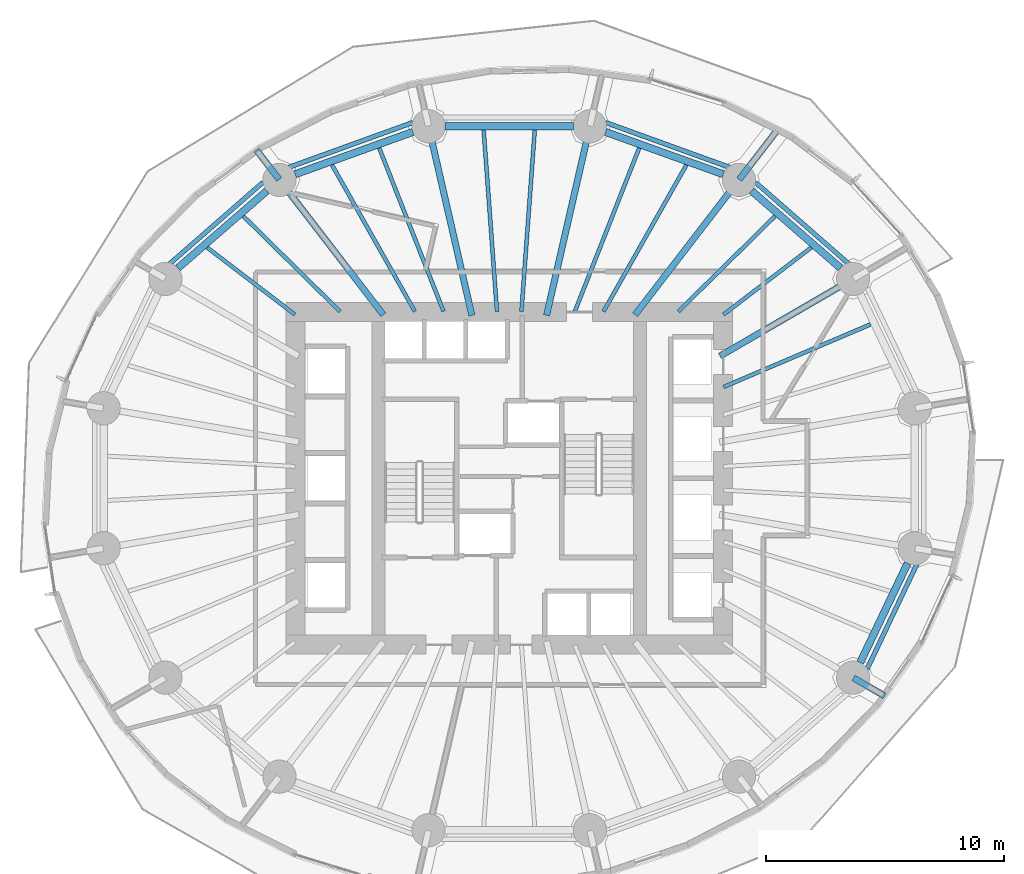
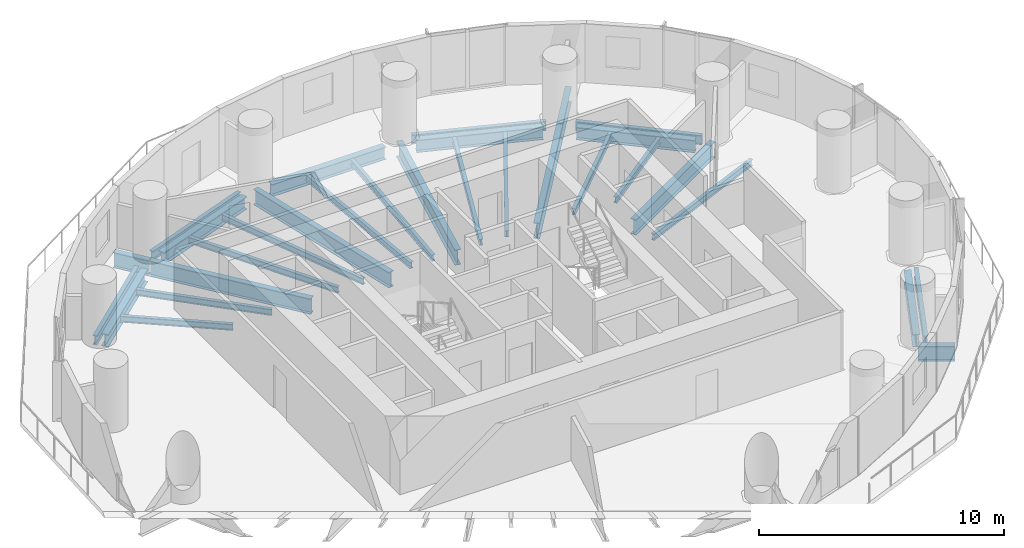
# One storey, part 4 of 13: 30 beams.
"""IFC4 building model written with IfcOpenShell, lengths in metres."""

from ifc_helpers import new_model, si_unit, direction, frame, origin, origin_2d, place, context, subcontext, project, spatial, i_section, extrude, material, material_profile, profile_set, type_object, element, save


model = new_model("IFC4")

# Units and contexts
model_context = context("Model", 3, precision=1e-05, world=origin(), true_north=direction((0.0, 1.0)))
body_context = subcontext(model_context, "Body", "Model", "MODEL_VIEW")
ifc_project = project(units=[si_unit("LENGTHUNIT", "METRE"), si_unit("AREAUNIT", "SQUARE_METRE"), si_unit("VOLUMEUNIT", "CUBIC_METRE"), si_unit("PLANEANGLEUNIT", "RADIAN"), si_unit("MASSUNIT", "GRAM", prefix="KILO")], contexts=[model_context])

# Site, building, storey
site_placement = place(None, origin())
site = spatial("IfcSite", under=ifc_project, at=site_placement, CompositionType="ELEMENT")
building_placement = place(site_placement, origin())
building = spatial("IfcBuilding", under=site, at=building_placement, Name="Veldorim Arch Residences", CompositionType="ELEMENT")
storey_placement = place(building_placement, frame((0.0, 0.0, 60.0)))
storey = spatial("IfcBuildingStorey", under=building, at=storey_placement, Name="L17", CompositionType="ELEMENT", Elevation=60.0)

# Beams
ifc_material_1 = material(Name="Steel S355", Category="steel")
ifc_material_profile_1 = material_profile(ifc_material_1, i_section(OverallWidth=0.30712890625, OverallDepth=0.6201171875, WebThickness=0.01416015625, FlangeThickness=0.023681640625, at=origin_2d()), Name="UB610x305x179")
ifc_profile_set_1 = profile_set([ifc_material_profile_1], Name="Steel S355")
beam_type_1 = type_object("IfcBeamType", Name="Structural Steel Beam UB610x305x179", PredefinedType="BEAM", material=ifc_profile_set_1)
beam_1_placement = place(storey_placement, frame((45.93896484375, 32.847900390625, -0.550048828125), z_axis=(-0.755264734985, 0.655419850239, 0.0), x_axis=(-0.655419850239, -0.755264734985, 0.0)))
element("IfcBeam", 1, at=beam_1_placement, inside=storey, type_object=beam_type_1, Name="L17 perimeter ring tie beam 02", PredefinedType="BEAM", context=body_context, shape_type="SweptSolid", body=[
    extrude(i_section(OverallWidth=0.30712890625, OverallDepth=0.6201171875, WebThickness=0.01416015625, FlangeThickness=0.023681640625, at=origin_2d()), origin(), (0.0, 0.0, 1.0), 4.956298828125),
])
beam_2_placement = place(storey_placement, frame((41.00830078125, 36.7919921875, -0.550048828125), z_axis=(-0.941058113369, 0.338244922006, 0.0), x_axis=(-0.338244922006, -0.941058113369, 0.0)))
element("IfcBeam", 2, at=beam_2_placement, inside=storey, type_object=beam_type_1, Name="L17 perimeter ring tie beam 03", PredefinedType="BEAM", context=body_context, shape_type="SweptSolid", body=[
    extrude(i_section(OverallWidth=0.30712890625, OverallDepth=0.6201171875, WebThickness=0.01416015625, FlangeThickness=0.023681640625, at=origin_2d()), origin(), (0.0, 0.0, 1.0), 5.265380859375),
])
beam_3_placement = place(storey_placement, frame((34.694580078125, 38.809814453125, -0.550048828125), z_axis=(-1.0, 0.0, 0.0), x_axis=(0.0, -1.0, 0.0)))
element("IfcBeam", 3, at=beam_3_placement, inside=storey, type_object=beam_type_1, Name="L17 perimeter ring tie beam 04", PredefinedType="BEAM", context=body_context, shape_type="SweptSolid", body=[
    extrude(i_section(OverallWidth=0.30712890625, OverallDepth=0.6201171875, WebThickness=0.01416015625, FlangeThickness=0.023681640625, at=origin_2d()), origin(), (0.0, 0.0, 1.0), 5.38916015625),
])
beam_4_placement = place(storey_placement, frame((27.94677734375, 38.572998046875, -0.550048828125), z_axis=(-0.941058113369, -0.338244922006, 0.0), x_axis=(0.338244922006, -0.941058113369, 0.0)))
element("IfcBeam", 4, at=beam_4_placement, inside=storey, type_object=beam_type_1, Name="L17 perimeter ring tie beam 05", PredefinedType="BEAM", context=body_context, shape_type="SweptSolid", body=[
    extrude(i_section(OverallWidth=0.30712890625, OverallDepth=0.6201171875, WebThickness=0.01416015625, FlangeThickness=0.023681640625, at=origin_2d()), origin(), (0.0, 0.0, 1.0), 5.265380859375),
])
beam_5_placement = place(storey_placement, frame((21.804443359375, 36.096435546875, -0.550048828125), z_axis=(-0.755264734985, -0.655419850239, 0.0), x_axis=(0.655419850239, -0.755264734985, 0.0)))
element("IfcBeam", 5, at=beam_5_placement, inside=storey, type_object=beam_type_1, Name="L17 perimeter ring tie beam 06", PredefinedType="BEAM", context=body_context, shape_type="SweptSolid", body=[
    extrude(i_section(OverallWidth=0.30712890625, OverallDepth=0.6201171875, WebThickness=0.01416015625, FlangeThickness=0.023681640625, at=origin_2d()), origin(), (0.0, 0.0, 1.0), 4.956298828125),
])
beam_6_placement = place(storey_placement, frame((46.76904296875, 16.24267578125, -0.550048828125), z_axis=(0.430776422552, 0.902458682585, 0.0), x_axis=(-0.902458682585, 0.430776422552, 0.0)))
element("IfcBeam", 6, at=beam_6_placement, inside=storey, type_object=beam_type_1, Name="L17 perimeter ring tie beam 15", PredefinedType="BEAM", context=body_context, shape_type="SweptSolid", body=[
    extrude(i_section(OverallWidth=0.30712890625, OverallDepth=0.6201171875, WebThickness=0.01416015625, FlangeThickness=0.023681640625, at=origin_2d()), origin(), (0.0, 0.0, 1.0), 4.63134765625),
])
ifc_material_2 = material(Name="Steel S355", Category="steel")
ifc_material_profile_2 = material_profile(ifc_material_2, i_section(OverallWidth=0.26806640625, OverallDepth=0.769775390625, WebThickness=0.015625, FlangeThickness=0.025390625, at=origin_2d()), Name="UB762x267x197")
ifc_profile_set_2 = profile_set([ifc_material_profile_2], Name="Steel S355")
beam_type_2 = type_object("IfcBeamType", Name="Structural Steel GIRDER UB762x267x197", PredefinedType="USERDEFINED", material=ifc_profile_set_2)
beam_7_placement = place(storey_placement, frame((40.8701171875, 29.1435546875, -0.625), z_axis=(0.865088348752, 0.501619525989, 0.0), x_axis=(-0.501619525989, 0.865088348752, 0.0)))
element("IfcBeam", 7, at=beam_7_placement, inside=storey, type_object=beam_type_2, Name="L17 radial floor girder 02", ObjectType="GIRDER", PredefinedType="USERDEFINED", context=body_context, shape_type="SweptSolid", body=[
    extrude(i_section(OverallWidth=0.26806640625, OverallDepth=0.769775390625, WebThickness=0.015625, FlangeThickness=0.025390625, at=origin_2d()), origin(), (0.0, 0.0, 1.0), 6.4501953125),
])
beam_8_placement = place(storey_placement, frame((37.298095703125, 30.881103515625, -0.625), z_axis=(0.610082439157, 0.792337943956, 0.0), x_axis=(-0.792337943956, 0.610082439157, 0.0)))
element("IfcBeam", 8, at=beam_8_placement, inside=storey, type_object=beam_type_2, Name="L17 radial floor girder 03", ObjectType="GIRDER", PredefinedType="USERDEFINED", context=body_context, shape_type="SweptSolid", body=[
    extrude(i_section(OverallWidth=0.26806640625, OverallDepth=0.769775390625, WebThickness=0.015625, FlangeThickness=0.025390625, at=origin_2d()), origin(), (0.0, 0.0, 1.0), 7.14111328125),
])
beam_9_placement = place(storey_placement, frame((41.67919921875, 36.571044921875, -0.625), z_axis=(0.610056198277, 0.792358148153, 0.0), x_axis=(-0.792358148153, 0.610056198277, 0.0)))
element("IfcBeam", 9, at=beam_9_placement, inside=storey, type_object=beam_type_2, Name="L17 radial edge cantilever girder 03", ObjectType="GIRDER", PredefinedType="USERDEFINED", context=body_context, shape_type="SweptSolid", body=[
    extrude(i_section(OverallWidth=0.26806640625, OverallDepth=0.769775390625, WebThickness=0.015625, FlangeThickness=0.025390625, at=origin_2d()), origin(), (0.0, 0.0, 1.0), 2.66357421875),
])
for number, where, z_axis, x_axis, name in (
    (10, (33.571044921875, 30.853759765625, -0.625), (0.223411766201, 0.974724157248, 0.0), (-0.974724157248, 0.223411766201, 0.0), "L17 radial floor girder 04"),
    (11, (30.428955078125, 30.853759765625, -0.625), (-0.223411766201, 0.974724157248, 0.0), (-0.974724157248, -0.223411766201, 0.0), "L17 radial floor girder 05"),
):
    element("IfcBeam", number, at=place(storey_placement, frame(where, z_axis=z_axis, x_axis=x_axis)), inside=storey, type_object=beam_type_2, Name=name, ObjectType="GIRDER", PredefinedType="USERDEFINED", context=body_context, shape_type="SweptSolid", body=[
        extrude(i_section(OverallWidth=0.26806640625, OverallDepth=0.769775390625, WebThickness=0.015625, FlangeThickness=0.025390625, at=origin_2d()), origin(), (0.0, 0.0, 1.0), 8.142333984375),
    ])
beam_10_placement = place(storey_placement, frame((26.701904296875, 30.881103515625, -0.625), z_axis=(-0.610082439157, 0.792337943956, 0.0), x_axis=(-0.792337943956, -0.610082439157, 0.0)))
element("IfcBeam", 12, at=beam_10_placement, inside=storey, type_object=beam_type_2, Name="L17 radial floor girder 06", ObjectType="GIRDER", PredefinedType="USERDEFINED", context=body_context, shape_type="SweptSolid", body=[
    extrude(i_section(OverallWidth=0.26806640625, OverallDepth=0.769775390625, WebThickness=0.015625, FlangeThickness=0.025390625, at=origin_2d()), origin(), (0.0, 0.0, 1.0), 7.14111328125),
])
beam_11_placement = place(storey_placement, frame((22.32080078125, 36.571044921875, -0.625), z_axis=(-0.609960092798, 0.792432132863, 0.0), x_axis=(-0.792432132863, -0.609960092798, 0.0)))
element("IfcBeam", 13, at=beam_11_placement, inside=storey, type_object=beam_type_2, Name="L17 radial edge cantilever girder 06", ObjectType="GIRDER", PredefinedType="USERDEFINED", context=body_context, shape_type="SweptSolid", body=[
    extrude(i_section(OverallWidth=0.26806640625, OverallDepth=0.769775390625, WebThickness=0.015625, FlangeThickness=0.025390625, at=origin_2d()), origin(), (0.0, 0.0, 1.0), 1.5615234375),
])
beam_12_placement = place(storey_placement, frame((46.48486328125, 15.600830078125, -0.625), z_axis=(0.865060666907, -0.501667262805, 0.0), x_axis=(0.501667262805, 0.865060666907, 0.0)))
element("IfcBeam", 14, at=beam_12_placement, inside=storey, type_object=beam_type_2, Name="L17 radial edge cantilever girder 15", ObjectType="GIRDER", PredefinedType="USERDEFINED", context=body_context, shape_type="SweptSolid", body=[
    extrude(i_section(OverallWidth=0.26806640625, OverallDepth=0.769775390625, WebThickness=0.015625, FlangeThickness=0.025390625, at=origin_2d()), origin(), (0.0, 0.0, 1.0), 1.509521484375),
])
ifc_material_3 = material(Name="Steel S355", Category="steel")
ifc_material_profile_3 = material_profile(ifc_material_3, i_section(OverallWidth=0.165771484375, OverallDepth=0.306640625, WebThickness=0.006591796875, FlangeThickness=0.01171875, at=origin_2d()), Name="UB305x165x46")
ifc_profile_set_3 = profile_set([ifc_material_profile_3], Name="Steel S355")
beam_type_3 = type_object("IfcBeamType", Name="Structural Steel Joist UB305x165x46", PredefinedType="JOIST", material=ifc_profile_set_3)
beam_13_placement = place(storey_placement, frame((41.018310546875, 27.84130859375, -0.393310546875), z_axis=(0.920032948668, 0.391841005213, 0.0), x_axis=(-0.391841005213, 0.920032948668, 0.0)))
element("IfcBeam", 15, at=beam_13_placement, inside=storey, type_object=beam_type_3, Name="L17 secondary radial floor joist 01-2", PredefinedType="JOIST", context=body_context, shape_type="SweptSolid", body=[
    extrude(i_section(OverallWidth=0.165771484375, OverallDepth=0.306640625, WebThickness=0.006591796875, FlangeThickness=0.01171875, at=origin_2d()), origin(), (0.0, 0.0, 1.0), 6.723388671875),
])
beam_14_placement = place(storey_placement, frame((41.015869140625, 30.8876953125, -0.393310546875), z_axis=(0.794666431166, 0.607046343517, 0.0), x_axis=(-0.607046343517, 0.794666431166, 0.0)))
element("IfcBeam", 16, at=beam_14_placement, inside=storey, type_object=beam_type_3, Name="L17 secondary radial floor joist 02-1", PredefinedType="JOIST", context=body_context, shape_type="SweptSolid", body=[
    extrude(i_section(OverallWidth=0.165771484375, OverallDepth=0.306640625, WebThickness=0.006591796875, FlangeThickness=0.01171875, at=origin_2d()), origin(), (0.0, 0.0, 1.0), 4.646728515625),
])
beam_15_placement = place(storey_placement, frame((39.114990234375, 31.013916015625, -0.393310546875), z_axis=(0.712129078446, 0.702048556463, 0.0), x_axis=(-0.702048556463, 0.712129078446, 0.0)))
element("IfcBeam", 17, at=beam_15_placement, inside=storey, type_object=beam_type_3, Name="L17 secondary radial floor joist 02-2", PredefinedType="JOIST", context=body_context, shape_type="SweptSolid", body=[
    extrude(i_section(OverallWidth=0.165771484375, OverallDepth=0.306640625, WebThickness=0.006591796875, FlangeThickness=0.01171875, at=origin_2d()), origin(), (0.0, 0.0, 1.0), 5.715576171875),
])
beam_16_placement = place(storey_placement, frame((35.96875, 31.017333984375, -0.393310546875), z_axis=(0.492292335352, 0.870429926274, 0.0), x_axis=(-0.870429926274, 0.492292335352, 0.0)))
element("IfcBeam", 18, at=beam_16_placement, inside=storey, type_object=beam_type_3, Name="L17 secondary radial floor joist 03-1", PredefinedType="JOIST", context=body_context, shape_type="SweptSolid", body=[
    extrude(i_section(OverallWidth=0.165771484375, OverallDepth=0.306640625, WebThickness=0.006591796875, FlangeThickness=0.01171875, at=origin_2d()), origin(), (0.0, 0.0, 1.0), 7.083251953125),
])
beam_17_placement = place(storey_placement, frame((34.762451171875, 31.0185546875, -0.393310546875), z_axis=(0.366229833858, 0.930524426758, 0.0), x_axis=(-0.930524426758, 0.366229833858, 0.0)))
element("IfcBeam", 19, at=beam_17_placement, inside=storey, type_object=beam_type_3, Name="L17 secondary radial floor joist 03-2", PredefinedType="JOIST", context=body_context, shape_type="SweptSolid", body=[
    extrude(i_section(OverallWidth=0.165771484375, OverallDepth=0.306640625, WebThickness=0.006591796875, FlangeThickness=0.01171875, at=origin_2d()), origin(), (0.0, 0.0, 1.0), 7.3896484375),
])
for number, where, z_axis, x_axis, name in (
    (20, (32.514892578125, 31.02001953125, -0.393310546875), (0.073167620373, 0.997319657547, 0.0), (-0.997319657547, 0.073167620373, 0.0), "L17 secondary radial floor joist 04-1"),
    (21, (31.485107421875, 31.02001953125, -0.393310546875), (-0.073167620373, 0.997319657547, 0.0), (-0.997319657547, -0.073167620373, 0.0), "L17 secondary radial floor joist 04-2"),
):
    element("IfcBeam", number, at=place(storey_placement, frame(where, z_axis=z_axis, x_axis=x_axis)), inside=storey, type_object=beam_type_3, Name=name, PredefinedType="JOIST", context=body_context, shape_type="SweptSolid", body=[
        extrude(i_section(OverallWidth=0.165771484375, OverallDepth=0.306640625, WebThickness=0.006591796875, FlangeThickness=0.01171875, at=origin_2d()), origin(), (0.0, 0.0, 1.0), 7.651123046875),
    ])
beam_18_placement = place(storey_placement, frame((29.237548828125, 31.0185546875, -0.393310546875), z_axis=(-0.366229833858, 0.930524426758, 0.0), x_axis=(-0.930524426758, -0.366229833858, 0.0)))
element("IfcBeam", 22, at=beam_18_placement, inside=storey, type_object=beam_type_3, Name="L17 secondary radial floor joist 05-1", PredefinedType="JOIST", context=body_context, shape_type="SweptSolid", body=[
    extrude(i_section(OverallWidth=0.165771484375, OverallDepth=0.306640625, WebThickness=0.006591796875, FlangeThickness=0.01171875, at=origin_2d()), origin(), (0.0, 0.0, 1.0), 7.3896484375),
])
beam_19_placement = place(storey_placement, frame((28.03125, 31.017333984375, -0.393310546875), z_axis=(-0.492292335352, 0.870429926274, 0.0), x_axis=(-0.870429926274, -0.492292335352, 0.0)))
element("IfcBeam", 23, at=beam_19_placement, inside=storey, type_object=beam_type_3, Name="L17 secondary radial floor joist 05-2", PredefinedType="JOIST", context=body_context, shape_type="SweptSolid", body=[
    extrude(i_section(OverallWidth=0.165771484375, OverallDepth=0.306640625, WebThickness=0.006591796875, FlangeThickness=0.01171875, at=origin_2d()), origin(), (0.0, 0.0, 1.0), 7.083251953125),
])
beam_20_placement = place(storey_placement, frame((24.885009765625, 31.013916015625, -0.393310546875), z_axis=(-0.712129078446, 0.702048556463, 0.0), x_axis=(-0.702048556463, -0.712129078446, 0.0)))
element("IfcBeam", 24, at=beam_20_placement, inside=storey, type_object=beam_type_3, Name="L17 secondary radial floor joist 06-1", PredefinedType="JOIST", context=body_context, shape_type="SweptSolid", body=[
    extrude(i_section(OverallWidth=0.165771484375, OverallDepth=0.306640625, WebThickness=0.006591796875, FlangeThickness=0.01171875, at=origin_2d()), origin(), (0.0, 0.0, 1.0), 5.715576171875),
])
beam_21_placement = place(storey_placement, frame((22.984130859375, 30.8876953125, -0.393310546875), z_axis=(-0.794666431166, 0.607046343517, 0.0), x_axis=(-0.607046343517, -0.794666431166, 0.0)))
element("IfcBeam", 25, at=beam_21_placement, inside=storey, type_object=beam_type_3, Name="L17 secondary radial floor joist 06-2", PredefinedType="JOIST", context=body_context, shape_type="SweptSolid", body=[
    extrude(i_section(OverallWidth=0.165771484375, OverallDepth=0.306640625, WebThickness=0.006591796875, FlangeThickness=0.01171875, at=origin_2d()), origin(), (0.0, 0.0, 1.0), 4.646728515625),
])
ifc_material_4 = material(Name="Steel S355", Category="steel")
ifc_material_profile_4 = material_profile(ifc_material_4, i_section(OverallWidth=0.19140625, OverallDepth=0.4599609375, WebThickness=0.010009765625, FlangeThickness=0.01611328125, at=origin_2d()), Name="UB457x191x82")
ifc_profile_set_4 = profile_set([ifc_material_profile_4], Name="Steel S355")
beam_type_4 = type_object("IfcBeamType", Name="Structural Steel Spandrel UB457x191x82", PredefinedType="SPANDREL", material=ifc_profile_set_4)
beam_22_placement = place(storey_placement, frame((46.332275390625, 32.98486328125, -0.489990234375), z_axis=(-0.75323350982, 0.657753205758, 0.0), x_axis=(-0.657753205758, -0.75323350982, 0.0)))
element("IfcBeam", 26, at=beam_22_placement, inside=storey, type_object=beam_type_4, Name="L17 perimeter chord spandrel beam 02", PredefinedType="SPANDREL", context=body_context, shape_type="SweptSolid", body=[
    extrude(i_section(OverallWidth=0.19140625, OverallDepth=0.4599609375, WebThickness=0.010009765625, FlangeThickness=0.01611328125, at=origin_2d()), origin(), (0.0, 0.0, 1.0), 5.27001953125),
])
for number, where, z_axis, x_axis, name in (
    (27, (41.319580078125, 37.06591796875, -0.489990234375), (-0.940268980555, 0.340432437064, 0.0), (-0.340432437064, -0.940268980555, 0.0), "L17 perimeter chord spandrel beam 03"),
    (28, (27.94140625, 38.970703125, -0.489990234375), (-0.940268980555, -0.340432437064, 0.0), (0.340432437064, -0.940268980555, 0.0), "L17 perimeter chord spandrel beam 05"),
):
    element("IfcBeam", number, at=place(storey_placement, frame(where, z_axis=z_axis, x_axis=x_axis)), inside=storey, type_object=beam_type_4, Name=name, PredefinedType="SPANDREL", context=body_context, shape_type="SweptSolid", body=[
        extrude(i_section(OverallWidth=0.19140625, OverallDepth=0.4599609375, WebThickness=0.010009765625, FlangeThickness=0.01611328125, at=origin_2d()), origin(), (0.0, 0.0, 1.0), 5.59521484375),
    ])
beam_23_placement = place(storey_placement, frame((21.63720703125, 36.451171875, -0.489990234375), z_axis=(-0.75323350982, -0.657753205758, 0.0), x_axis=(0.657753205758, -0.75323350982, 0.0)))
element("IfcBeam", 29, at=beam_23_placement, inside=storey, type_object=beam_type_4, Name="L17 perimeter chord spandrel beam 06", PredefinedType="SPANDREL", context=body_context, shape_type="SweptSolid", body=[
    extrude(i_section(OverallWidth=0.19140625, OverallDepth=0.4599609375, WebThickness=0.010009765625, FlangeThickness=0.01611328125, at=origin_2d()), origin(), (0.0, 0.0, 1.0), 5.27001953125),
])
beam_24_placement = place(storey_placement, frame((47.060546875, 15.976806640625, -0.489990234375), z_axis=(0.428847831425, 0.903376741721, 0.0), x_axis=(-0.903376741721, 0.428847831425, 0.0)))
element("IfcBeam", 30, at=beam_24_placement, inside=storey, type_object=beam_type_4, Name="L17 perimeter chord spandrel beam 15", PredefinedType="SPANDREL", context=body_context, shape_type="SweptSolid", body=[
    extrude(i_section(OverallWidth=0.19140625, OverallDepth=0.4599609375, WebThickness=0.010009765625, FlangeThickness=0.01611328125, at=origin_2d()), origin(), (0.0, 0.0, 1.0), 4.932861328125),
])

save(model, "model.ifc")
